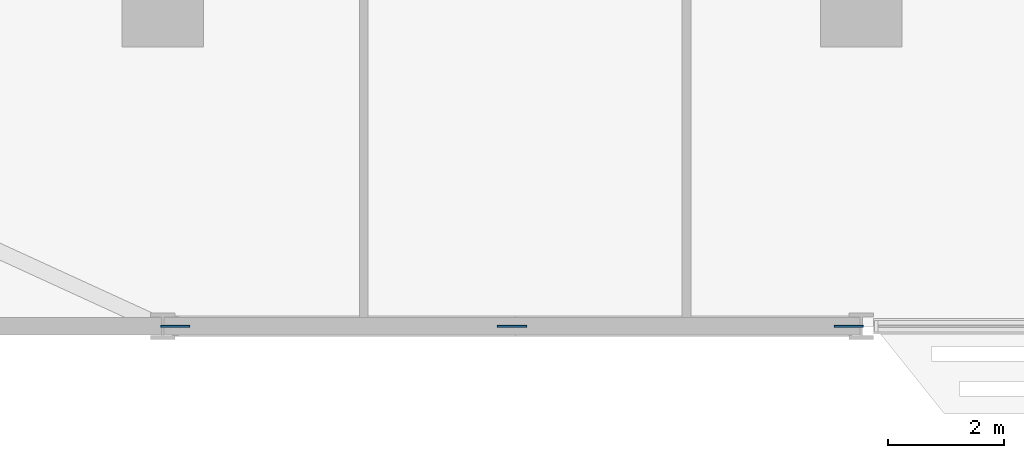
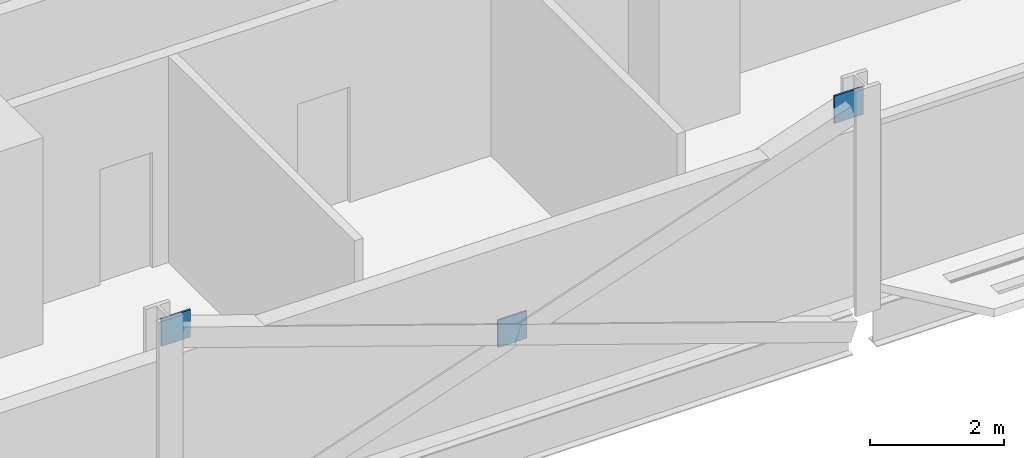
# One storey, part 19 of 29: 3 discrete accessories.
"""IFC4 building model written with IfcOpenShell, lengths in metres."""

from ifc_helpers import new_model, si_unit, direction, frame, origin, origin_2d, place, context, subcontext, project, spatial, rectangle, extrude, material, layer, layer_set, type_object, element, save


model = new_model("IFC4")

# Units and contexts
model_context = context("Model", 3, precision=1e-05, world=origin(), true_north=direction((0.0, 1.0)))
body_context = subcontext(model_context, "Body", "Model", "MODEL_VIEW")
ifc_project = project(units=[si_unit("LENGTHUNIT", "METRE"), si_unit("AREAUNIT", "SQUARE_METRE"), si_unit("VOLUMEUNIT", "CUBIC_METRE"), si_unit("PLANEANGLEUNIT", "RADIAN"), si_unit("MASSUNIT", "GRAM", prefix="KILO")], contexts=[model_context])

# Site, building, storey
site_placement = place(None, origin())
site = spatial("IfcSite", under=ifc_project, at=site_placement, CompositionType="ELEMENT")
building_placement = place(site_placement, origin())
building = spatial("IfcBuilding", under=site, at=building_placement, Name="Mahtab Terrace Research Tower", CompositionType="ELEMENT")
storey_placement = place(building_placement, frame((0.0, 0.0, 97.10009765625)))
storey = spatial("IfcBuildingStorey", under=building, at=storey_placement, Name="L22", CompositionType="ELEMENT", Elevation=97.10009765625)

# Discrete accessories
ifc_material = material(Name="Steel ASTM A992 Gr 50", Category="steel")
ifc_layer = layer(ifc_material, 0.030029296875)
ifc_layer_set = layer_set([ifc_layer], Name="Gusset plate 500x500x30")
discrete_accessory_type = type_object("IfcDiscreteAccessoryType", Name="Gusset plate 500x500x30", PredefinedType="USERDEFINED", material=ifc_layer_set)
for number, where, z_axis, x_axis, name in (
    (1, (-29.790283203125, -17.0, 3.13134765625), (0.0, 0.0, 1.0), (1.0, 0.0, 0.0), "Gusset plate"),
    (2, (-24.0, -17.0, 1.081298828125), (0.0, 0.0, 1.0), (1.0, 0.0, 0.0), "Gusset plate"),
    (3, (-18.209716796875, -17.0, 3.13134765625), (0.0, 0.0, 1.0), (1.0, 0.0, 0.0), "Gusset plate"),
):
    element("IfcDiscreteAccessory", number, at=place(storey_placement, frame(where, z_axis=z_axis, x_axis=x_axis)), inside=storey, type_object=discrete_accessory_type, Name=name, ObjectType="GUSSET PLATE", PredefinedType="USERDEFINED", context=body_context, shape_type="SweptSolid", body=[
        extrude(rectangle(XDim=0.5, YDim=0.030029296875, at=origin_2d()), origin(), (0.0, 0.0, 1.0), 0.5),
    ])

save(model, "model.ifc")
